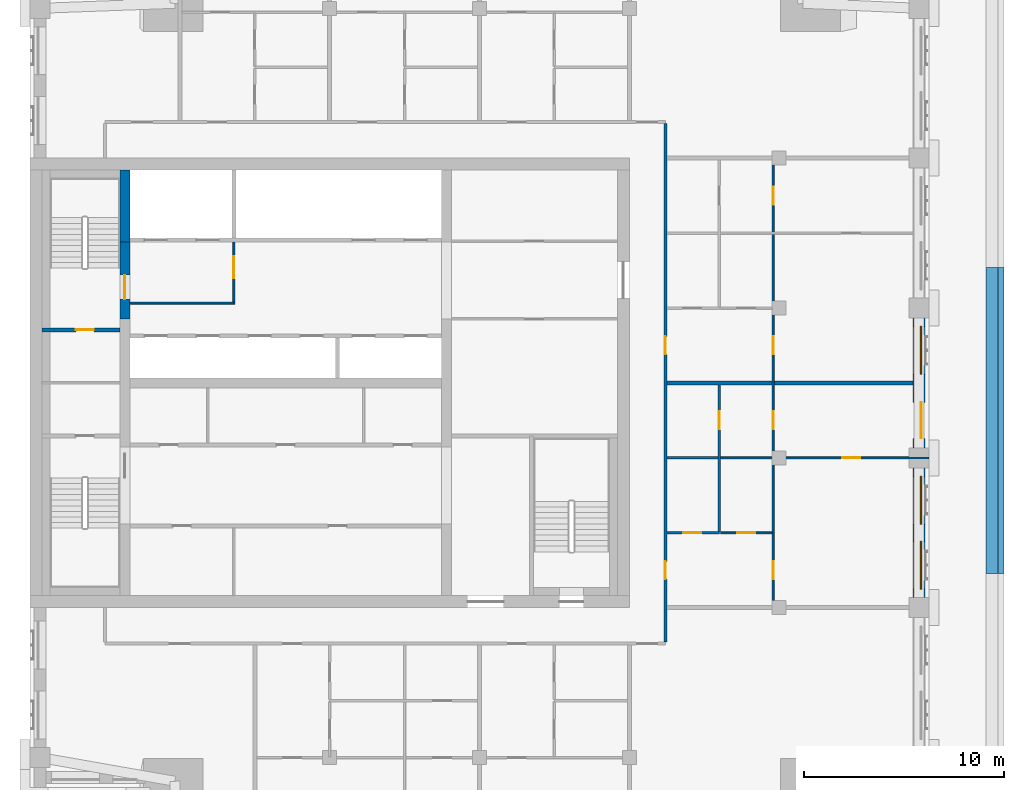
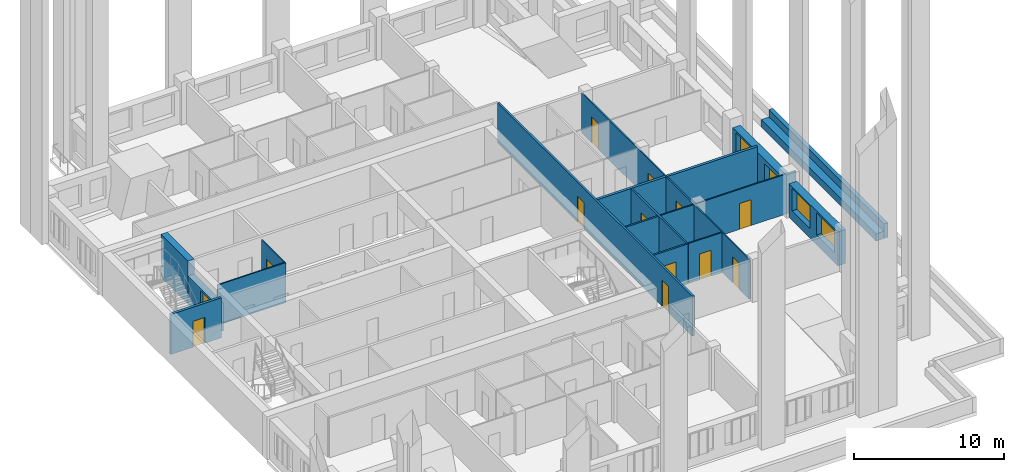
# One storey, part 5 of 12: 17 walls, 14 doors, 3 windows, 17 openings.
"""IFC4 building model written with IfcOpenShell, lengths in metres."""

from ifc_helpers import new_model, si_unit, direction, frame, frame_2d, origin, place, context, subcontext, project, spatial, rectangle, extrude, material, layer, layer_set, type_object, element, fill, save


model = new_model("IFC4")

# Units and contexts
model_context = context("Model", 3, precision=1e-05, world=origin(), true_north=direction((0.0, 1.0)))
body_context = subcontext(model_context, "Body", "Model", "MODEL_VIEW")
ifc_project = project(units=[si_unit("LENGTHUNIT", "METRE"), si_unit("AREAUNIT", "SQUARE_METRE"), si_unit("VOLUMEUNIT", "CUBIC_METRE"), si_unit("PLANEANGLEUNIT", "RADIAN"), si_unit("MASSUNIT", "GRAM", prefix="KILO")], contexts=[model_context])

# Site, building, storey
site_placement = place(None, origin())
site = spatial("IfcSite", under=ifc_project, at=site_placement, CompositionType="ELEMENT")
building_placement = place(site_placement, origin())
building = spatial("IfcBuilding", under=site, at=building_placement, Name="Tamorin Gate", CompositionType="ELEMENT")
storey_placement = place(building_placement, frame((0.0, 0.0, 266.199951171875)))
storey = spatial("IfcBuildingStorey", under=building, at=storey_placement, Name="L66", CompositionType="ELEMENT", Elevation=266.199951171875)

# Wall, openings, windows
ifc_material_1 = material(Name="Precast concrete C40/50", Category="concrete")
ifc_layer_1 = layer(ifc_material_1, 0.60009765625)
ifc_layer_set_1 = layer_set([ifc_layer_1], Name="Precast concrete C40/50")
wall_type_1 = type_object("IfcWallType", Name="Board-marked concrete facade panel 600", PredefinedType="SOLIDWALL", material=ifc_layer_set_1)
wall_1_placement = place(storey_placement, frame((74.5, 60.5, 0.0), z_axis=(0.0, 0.0, 1.0), x_axis=(0.0, 1.0, 0.0)))
wall_1 = element("IfcWall", 1, at=wall_1_placement, inside=storey, type_object=wall_type_1, Name="Facade panel", PredefinedType="SOLIDWALL", context=body_context, shape_type="SweptSolid", body=[
    extrude(rectangle(XDim=6.5, YDim=0.60009765625, at=frame_2d((3.25, 0.0))), origin(), (0.0, 0.0, 1.0), 2.75),
])
opening_1_placement = place(wall_1_placement, frame((0.425048828125, 0.0, 0.800048828125)))
opening_1 = element("IfcOpeningElement", 2, at=opening_1_placement, cuts=wall_1, Name="Opening WN1", PredefinedType="OPENING", context=body_context, shape_type="SweptSolid", body=[
    extrude(rectangle(XDim=2.39990234375, YDim=1.800048828125, at=frame_2d((1.199951171875, 0.89990234375))), frame((0.0, 0.31005859375, 0.0), z_axis=(0.0, -1.0, 0.0), x_axis=(1.0, 0.0, 0.0)), (0.0, 0.0, 1.0), 0.6201171875),
])
opening_2_placement = place(wall_1_placement, frame((3.675048828125, 0.0, 0.800048828125)))
opening_2 = element("IfcOpeningElement", 3, at=opening_2_placement, cuts=wall_1, Name="Opening WN1", PredefinedType="OPENING", context=body_context, shape_type="SweptSolid", body=[
    extrude(rectangle(XDim=2.39990234375, YDim=1.800048828125, at=frame_2d((1.199951171875, 0.89990234375))), frame((0.0, 0.31005859375, 0.0), z_axis=(0.0, -1.0, 0.0), x_axis=(1.0, 0.0, 0.0)), (0.0, 0.0, 1.0), 0.6201171875),
])
ifc_material_2 = material(Name="Clear glass in aluminium frame", Category="aluminium")
window_type = type_object("IfcWindowType", Name="Deep-set window 2400x1800", PartitioningType="SINGLE_PANEL", PredefinedType="WINDOW", material=ifc_material_2)
window_1_placement = place(opening_1_placement, origin())
window_1 = element("IfcWindow", 4, at=window_1_placement, inside=storey, type_object=window_type, Name="Deep-set window", OverallHeight=1.800048828125, OverallWidth=2.39990234375, PartitioningType="SINGLE_PANEL", PredefinedType="WINDOW", context=body_context, shape_type="SweptSolid", body=[
    extrude(rectangle(XDim=2.39990234375, YDim=1.800048828125, at=frame_2d((1.199951171875, 0.89990234375))), frame((0.0, -0.070068359375, 0.0), z_axis=(0.0, -1.0, 0.0), x_axis=(1.0, 0.0, 0.0)), (0.0, 0.0, 1.0), 0.06005859375),
])
fill(opening_1, window_1)
window_2_placement = place(opening_2_placement, origin())
window_2 = element("IfcWindow", 5, at=window_2_placement, inside=storey, type_object=window_type, Name="Deep-set window", OverallHeight=1.800048828125, OverallWidth=2.39990234375, PartitioningType="SINGLE_PANEL", PredefinedType="WINDOW", context=body_context, shape_type="SweptSolid", body=[
    extrude(rectangle(XDim=2.39990234375, YDim=1.800048828125, at=frame_2d((1.199951171875, 0.89990234375))), frame((0.0, -0.070068359375, 0.0), z_axis=(0.0, -1.0, 0.0), x_axis=(1.0, 0.0, 0.0)), (0.0, 0.0, 1.0), 0.06005859375),
])
fill(opening_2, window_2)

# Wall, openings, window, door
wall_2_placement = place(storey_placement, frame((74.5, 68.0, 0.0), z_axis=(0.0, 0.0, 1.0), x_axis=(0.0, 1.0, 0.0)))
wall_2 = element("IfcWall", 6, at=wall_2_placement, inside=storey, type_object=wall_type_1, Name="Facade panel", PredefinedType="SOLIDWALL", context=body_context, shape_type="SweptSolid", body=[
    extrude(rectangle(XDim=6.5, YDim=0.60009765625, at=frame_2d((3.25, 0.0))), origin(), (0.0, 0.0, 1.0), 2.75),
])
opening_3_placement = place(wall_2_placement, frame((0.47509765625, 0.0, 0.0)))
opening_3 = element("IfcOpeningElement", 7, at=opening_3_placement, cuts=wall_2, Name="Opening DX1", PredefinedType="OPENING", context=body_context, shape_type="SweptSolid", body=[
    extrude(rectangle(XDim=1.800048828125, YDim=2.39990234375, at=frame_2d((0.89990234375, 1.199951171875))), frame((0.0, 0.31005859375, 0.0), z_axis=(0.0, -1.0, 0.0), x_axis=(1.0, 0.0, 0.0)), (0.0, 0.0, 1.0), 0.6201171875),
])
opening_4_placement = place(wall_2_placement, frame((3.675048828125, 0.0, 0.800048828125)))
opening_4 = element("IfcOpeningElement", 8, at=opening_4_placement, cuts=wall_2, Name="Opening WN1", PredefinedType="OPENING", context=body_context, shape_type="SweptSolid", body=[
    extrude(rectangle(XDim=2.39990234375, YDim=1.800048828125, at=frame_2d((1.199951171875, 0.89990234375))), frame((0.0, 0.31005859375, 0.0), z_axis=(0.0, -1.0, 0.0), x_axis=(1.0, 0.0, 0.0)), (0.0, 0.0, 1.0), 0.6201171875),
])
window_3_placement = place(opening_4_placement, origin())
window_3 = element("IfcWindow", 9, at=window_3_placement, inside=storey, type_object=window_type, Name="Deep-set window", OverallHeight=1.800048828125, OverallWidth=2.39990234375, PartitioningType="SINGLE_PANEL", PredefinedType="WINDOW", context=body_context, shape_type="SweptSolid", body=[
    extrude(rectangle(XDim=2.39990234375, YDim=1.800048828125, at=frame_2d((1.199951171875, 0.89990234375))), frame((0.0, -0.070068359375, 0.0), z_axis=(0.0, -1.0, 0.0), x_axis=(1.0, 0.0, 0.0)), (0.0, 0.0, 1.0), 0.06005859375),
])
fill(opening_4, window_3)
door_type_1 = type_object("IfcDoorType", Name="Terrace door 1800x2400", OperationType="DOUBLE_DOOR_SINGLE_SWING", PredefinedType="DOOR", material=ifc_material_2)
door_1_placement = place(opening_3_placement, origin())
door_1 = element("IfcDoor", 10, at=door_1_placement, inside=storey, type_object=door_type_1, Name="Terrace door", OperationType="SINGLE_SWING_LEFT", OverallHeight=2.39990234375, OverallWidth=1.800048828125, PredefinedType="DOOR", context=body_context, shape_type="SweptSolid", body=[
    extrude(rectangle(XDim=1.800048828125, YDim=2.39990234375, at=frame_2d((0.89990234375, 1.199951171875))), frame((0.0, -0.0751953125, 0.0), z_axis=(0.0, -1.0, 0.0), x_axis=(1.0, 0.0, 0.0)), (0.0, 0.0, 1.0), 0.050048828125),
])
fill(opening_3, door_1)

# Wall, openings, doors
ifc_material_3 = material(Name="Gypsum board partition")
ifc_layer_2 = layer(ifc_material_3, 0.14990234375)
ifc_layer_set_2 = layer_set([ifc_layer_2], Name="Corridor wall 150")
wall_type_2 = type_object("IfcWallType", Name="Corridor wall 150", PredefinedType="PARTITIONING", material=ifc_layer_set_2)
wall_3_placement = place(storey_placement, frame((61.800048828125, 58.27490234375, 0.0), z_axis=(0.0, 0.0, 1.0), x_axis=(0.0, 1.0, 0.0)))
wall_3 = element("IfcWall", 11, at=wall_3_placement, inside=storey, type_object=wall_type_2, Name="Corridor wall 150", PredefinedType="PARTITIONING", context=body_context, shape_type="SweptSolid", body=[
    extrude(rectangle(XDim=25.9501953125, YDim=0.14990234375, at=frame_2d((12.97509765625, 0.0))), origin(), (0.0, 0.0, 1.0), 3.25),
])
opening_5_placement = place(wall_3_placement, frame((3.14990234375, 0.0, 0.0)))
opening_5 = element("IfcOpeningElement", 12, at=opening_5_placement, cuts=wall_3, Name="Opening DTF6028", PredefinedType="OPENING", context=body_context, shape_type="SweptSolid", body=[
    extrude(rectangle(XDim=0.89990234375, YDim=2.10009765625, at=frame_2d((0.449951171875, 1.050048828125))), frame((0.0, 0.0849609375, 0.0), z_axis=(0.0, -1.0, 0.0), x_axis=(1.0, 0.0, 0.0)), (0.0, 0.0, 1.0), 0.169921875),
])
opening_6_placement = place(wall_3_placement, frame((14.39990234375, 0.0, 0.0)))
opening_6 = element("IfcOpeningElement", 13, at=opening_6_placement, cuts=wall_3, Name="Opening DTF6035", PredefinedType="OPENING", context=body_context, shape_type="SweptSolid", body=[
    extrude(rectangle(XDim=0.89990234375, YDim=2.10009765625, at=frame_2d((0.449951171875, 1.050048828125))), frame((0.0, 0.0849609375, 0.0), z_axis=(0.0, -1.0, 0.0), x_axis=(1.0, 0.0, 0.0)), (0.0, 0.0, 1.0), 0.169921875),
])
ifc_material_4 = material(Name="Timber door leaf", Category="wood")
door_type_2 = type_object("IfcDoorType", Name="Door 900 x 2100 FD30S", OperationType="NOTDEFINED", PredefinedType="DOOR", material=ifc_material_4)
door_2_placement = place(opening_5_placement, origin())
door_2 = element("IfcDoor", 14, at=door_2_placement, inside=storey, type_object=door_type_2, Name="Door DTF6028", OperationType="SINGLE_SWING_RIGHT", OverallHeight=2.10009765625, OverallWidth=0.89990234375, PredefinedType="DOOR", context=body_context, shape_type="SweptSolid", body=[
    extrude(rectangle(XDim=0.89990234375, YDim=2.10009765625, at=frame_2d((0.449951171875, 1.050048828125))), frame((0.0, 0.02490234375, 0.0), z_axis=(0.0, -1.0, 0.0), x_axis=(1.0, 0.0, 0.0)), (0.0, 0.0, 1.0), 0.050048828125),
])
fill(opening_5, door_2)
door_3_placement = place(opening_6_placement, origin())
door_3 = element("IfcDoor", 15, at=door_3_placement, inside=storey, type_object=door_type_2, Name="Door DTF6035", OperationType="SINGLE_SWING_RIGHT", OverallHeight=2.10009765625, OverallWidth=0.89990234375, PredefinedType="DOOR", context=body_context, shape_type="SweptSolid", body=[
    extrude(rectangle(XDim=0.89990234375, YDim=2.10009765625, at=frame_2d((0.449951171875, 1.050048828125))), frame((0.0, 0.02490234375, 0.0), z_axis=(0.0, -1.0, 0.0), x_axis=(1.0, 0.0, 0.0)), (0.0, 0.0, 1.0), 0.050048828125),
])
fill(opening_6, door_3)

# Walls
ifc_layer_3 = layer(ifc_material_3, 0.199951171875)
ifc_layer_set_3 = layer_set([ifc_layer_3], Name="Demising wall 200")
wall_type_3 = type_object("IfcWallType", Name="Demising wall 200", PredefinedType="PARTITIONING", material=ifc_layer_set_3)
wall_4_placement = place(storey_placement, frame((61.875, 71.25, 0.0), z_axis=(0.0, 0.0, 1.0), x_axis=(1.0, 0.0, 0.0)))
element("IfcWall", 16, at=wall_4_placement, inside=storey, type_object=wall_type_3, Name="Demising wall 200", PredefinedType="PARTITIONING", context=body_context, shape_type="SweptSolid", body=[
    extrude(rectangle(XDim=12.31494140625, YDim=0.199951171875, at=frame_2d((6.157470703125, 0.0))), origin(), (0.0, 0.0, 1.0), 3.25),
])
ifc_material_5 = material(Name="Fire-rated gypsum board partition")
ifc_layer_4 = layer(ifc_material_5, 0.10009765625)
ifc_layer_set_4 = layer_set([ifc_layer_4], Name="Lobby wall 100 EI 60")
wall_type_4 = type_object("IfcWallType", Name="Lobby wall 100 EI 60", PredefinedType="PARTITIONING", material=ifc_layer_set_4)
wall_5_placement = place(storey_placement, frame((35.0, 75.25, 0.0), z_axis=(0.0, 0.0, 1.0), x_axis=(1.0, 0.0, 0.0)))
element("IfcWall", 17, at=wall_5_placement, inside=storey, type_object=wall_type_4, Name="Firefighting lobby wall", PredefinedType="PARTITIONING", context=body_context, shape_type="SweptSolid", body=[
    extrude(rectangle(XDim=5.25, YDim=0.10009765625, at=frame_2d((2.625, 0.0))), origin(), (0.0, 0.0, 1.0), 3.25),
])

# Wall, opening, door
wall_6_placement = place(storey_placement, frame((40.199951171875, 75.300048828125, 0.0), z_axis=(0.0, 0.0, 1.0), x_axis=(0.0, 1.0, 0.0)))
wall_6 = element("IfcWall", 18, at=wall_6_placement, inside=storey, type_object=wall_type_4, Name="Firefighting lobby wall", PredefinedType="PARTITIONING", context=body_context, shape_type="SweptSolid", body=[
    extrude(rectangle(XDim=3.0, YDim=0.10009765625, at=frame_2d((1.5, 0.0))), origin(), (0.0, 0.0, 1.0), 3.25),
])
opening_7_placement = place(wall_6_placement, frame((1.199951171875, 0.0, 0.0)))
opening_7 = element("IfcOpeningElement", 19, at=opening_7_placement, cuts=wall_6, Name="Opening DF1", PredefinedType="OPENING", context=body_context, shape_type="SweptSolid", body=[
    extrude(rectangle(XDim=1.10009765625, YDim=2.10009765625, at=frame_2d((0.550048828125, 1.050048828125))), frame((0.0, 0.06005859375, 0.0), z_axis=(0.0, -1.0, 0.0), x_axis=(1.0, 0.0, 0.0)), (0.0, 0.0, 1.0), 0.1201171875),
])
ifc_material_6 = material(Name="Steel fire door", Category="steel")
door_type_3 = type_object("IfcDoorType", Name="Firefighting lobby door 1100 x 2100 EI 90", OperationType="SINGLE_SWING_LEFT", PredefinedType="DOOR", material=ifc_material_6)
door_4_placement = place(opening_7_placement, origin())
door_4 = element("IfcDoor", 20, at=door_4_placement, inside=storey, type_object=door_type_3, Name="Firefighting lobby door", OperationType="SINGLE_SWING_LEFT", OverallHeight=2.10009765625, OverallWidth=1.10009765625, PredefinedType="DOOR", context=body_context, shape_type="SweptSolid", body=[
    extrude(rectangle(XDim=1.10009765625, YDim=2.10009765625, at=frame_2d((0.550048828125, 1.050048828125))), frame((0.0, 0.02490234375, 0.0), z_axis=(0.0, -1.0, 0.0), x_axis=(1.0, 0.0, 0.0)), (0.0, 0.0, 1.0), 0.050048828125),
])
fill(opening_7, door_4)

# Wall
ifc_material_7 = material(Name="Concrete C50/60", Category="concrete")
ifc_layer_5 = layer(ifc_material_7, 0.5)
ifc_layer_set_5 = layer_set([ifc_layer_5], Name="RC core internal wall 500 C50/60")
wall_type_5 = type_object("IfcWallType", Name="RC core internal wall 500 C50/60", PredefinedType="SHEAR", material=ifc_layer_set_5)
wall_7_placement = place(storey_placement, frame((34.75, 78.300048828125, 0.0), z_axis=(0.0, 0.0, 1.0), x_axis=(0.0, 1.0, 0.0)))
element("IfcWall", 21, at=wall_7_placement, inside=storey, type_object=wall_type_5, Name="Core cross wall L66", PredefinedType="SHEAR", context=body_context, shape_type="SweptSolid", body=[
    extrude(rectangle(XDim=3.599853515625, YDim=0.5, at=frame_2d((1.7998046875, 0.0))), origin(), (0.0, 0.0, 1.0), 3.5),
])

# Wall, opening, door
ifc_layer_6 = layer(ifc_material_3, 0.10009765625)
ifc_layer_set_6 = layer_set([ifc_layer_6], Name="Room partition 100")
wall_type_6 = type_object("IfcWallType", Name="Room partition 100", PredefinedType="PARTITIONING", material=ifc_layer_set_6)
wall_8_placement = place(storey_placement, frame((64.5625, 63.75, 0.0), z_axis=(0.0, 0.0, 1.0), x_axis=(1.0, 0.0, 0.0)))
wall_8 = element("IfcWall", 22, at=wall_8_placement, inside=storey, type_object=wall_type_6, Name="Room partition 100", PredefinedType="PARTITIONING", context=body_context, shape_type="SweptSolid", body=[
    extrude(rectangle(XDim=2.58740234375, YDim=0.10009765625, at=frame_2d((1.293701171875, 0.0))), origin(), (0.0, 0.0, 1.0), 3.25),
])
opening_8_placement = place(wall_8_placement, frame((0.83740234375, 0.0, 0.0)))
opening_8 = element("IfcOpeningElement", 23, at=opening_8_placement, cuts=wall_8, Name="Opening DTF6030", PredefinedType="OPENING", context=body_context, shape_type="SweptSolid", body=[
    extrude(rectangle(XDim=0.89990234375, YDim=2.10009765625, at=frame_2d((0.449951171875, 1.050048828125))), frame((0.0, 0.06005859375, 0.0), z_axis=(0.0, -1.0, 0.0), x_axis=(1.0, 0.0, 0.0)), (0.0, 0.0, 1.0), 0.1201171875),
])
door_type_4 = type_object("IfcDoorType", Name="Door 900 x 2100", OperationType="NOTDEFINED", PredefinedType="DOOR", material=ifc_material_4)
door_5_placement = place(opening_8_placement, origin())
door_5 = element("IfcDoor", 24, at=door_5_placement, inside=storey, type_object=door_type_4, Name="Door DTF6030", OperationType="SINGLE_SWING_LEFT", OverallHeight=2.10009765625, OverallWidth=0.89990234375, PredefinedType="DOOR", context=body_context, shape_type="SweptSolid", body=[
    extrude(rectangle(XDim=0.89990234375, YDim=2.10009765625, at=frame_2d((0.449951171875, 1.050048828125))), frame((0.0, 0.02490234375, 0.0), z_axis=(0.0, -1.0, 0.0), x_axis=(1.0, 0.0, 0.0)), (0.0, 0.0, 1.0), 0.050048828125),
])
fill(opening_8, door_5)

wall_9_placement = place(storey_placement, frame((64.5625, 67.5, 0.0), z_axis=(0.0, 0.0, 1.0), x_axis=(1.0, 0.0, 0.0)))
wall_9 = element("IfcWall", 25, at=wall_9_placement, inside=storey, type_object=wall_type_6, Name="Room partition 100", PredefinedType="PARTITIONING", context=body_context, shape_type="SweptSolid", body=[
    extrude(rectangle(XDim=10.4375, YDim=0.10009765625, at=frame_2d((5.21875, 0.0))), origin(), (0.0, 0.0, 1.0), 3.25),
])
opening_9_placement = place(wall_9_placement, frame((6.08740234375, 0.0, 0.0)))
opening_9 = element("IfcOpeningElement", 26, at=opening_9_placement, cuts=wall_9, Name="Opening DTF6034", PredefinedType="OPENING", context=body_context, shape_type="SweptSolid", body=[
    extrude(rectangle(XDim=0.89990234375, YDim=2.10009765625, at=frame_2d((0.449951171875, 1.050048828125))), frame((0.0, 0.06005859375, 0.0), z_axis=(0.0, -1.0, 0.0), x_axis=(1.0, 0.0, 0.0)), (0.0, 0.0, 1.0), 0.1201171875),
])
door_6_placement = place(opening_9_placement, origin())
door_6 = element("IfcDoor", 27, at=door_6_placement, inside=storey, type_object=door_type_4, Name="Door DTF6034", OperationType="SINGLE_SWING_RIGHT", OverallHeight=2.10009765625, OverallWidth=0.89990234375, PredefinedType="DOOR", context=body_context, shape_type="SweptSolid", body=[
    extrude(rectangle(XDim=0.89990234375, YDim=2.10009765625, at=frame_2d((0.449951171875, 1.050048828125))), frame((0.0, 0.02490234375, 0.0), z_axis=(0.0, -1.0, 0.0), x_axis=(1.0, 0.0, 0.0)), (0.0, 0.0, 1.0), 0.050048828125),
])
fill(opening_9, door_6)

# Wall, openings, doors
wall_10_placement = place(storey_placement, frame((67.199951171875, 60.10009765625, 0.0), z_axis=(0.0, 0.0, 1.0), x_axis=(0.0, 1.0, 0.0)))
wall_10 = element("IfcWall", 28, at=wall_10_placement, inside=storey, type_object=wall_type_6, Name="Room partition 100", PredefinedType="PARTITIONING", context=body_context, shape_type="SweptSolid", body=[
    extrude(rectangle(XDim=22.2998046875, YDim=0.10009765625, at=frame_2d((11.14990234375, 0.0))), origin(), (0.0, 0.0, 1.0), 3.25),
])
opening_10_placement = place(wall_10_placement, frame((1.324951171875, 0.0, 0.0)))
opening_10 = element("IfcOpeningElement", 29, at=opening_10_placement, cuts=wall_10, Name="Opening DTF6029", PredefinedType="OPENING", context=body_context, shape_type="SweptSolid", body=[
    extrude(rectangle(XDim=0.89990234375, YDim=2.10009765625, at=frame_2d((0.449951171875, 1.050048828125))), frame((0.0, 0.06005859375, 0.0), z_axis=(0.0, -1.0, 0.0), x_axis=(1.0, 0.0, 0.0)), (0.0, 0.0, 1.0), 0.1201171875),
])
opening_11_placement = place(wall_10_placement, frame((8.824951171875, 0.0, 0.0)))
opening_11 = element("IfcOpeningElement", 30, at=opening_11_placement, cuts=wall_10, Name="Opening DTF6032", PredefinedType="OPENING", context=body_context, shape_type="SweptSolid", body=[
    extrude(rectangle(XDim=0.89990234375, YDim=2.10009765625, at=frame_2d((0.449951171875, 1.050048828125))), frame((0.0, 0.06005859375, 0.0), z_axis=(0.0, -1.0, 0.0), x_axis=(1.0, 0.0, 0.0)), (0.0, 0.0, 1.0), 0.1201171875),
])
opening_12_placement = place(wall_10_placement, frame((12.574951171875, 0.0, 0.0)))
opening_12 = element("IfcOpeningElement", 31, at=opening_12_placement, cuts=wall_10, Name="Opening DTF6036", PredefinedType="OPENING", context=body_context, shape_type="SweptSolid", body=[
    extrude(rectangle(XDim=0.89990234375, YDim=2.10009765625, at=frame_2d((0.449951171875, 1.050048828125))), frame((0.0, 0.06005859375, 0.0), z_axis=(0.0, -1.0, 0.0), x_axis=(1.0, 0.0, 0.0)), (0.0, 0.0, 1.0), 0.1201171875),
])
opening_13_placement = place(wall_10_placement, frame((20.074951171875, 0.0, 0.0)))
opening_13 = element("IfcOpeningElement", 32, at=opening_13_placement, cuts=wall_10, Name="Opening DTF6039", PredefinedType="OPENING", context=body_context, shape_type="SweptSolid", body=[
    extrude(rectangle(XDim=0.89990234375, YDim=2.10009765625, at=frame_2d((0.449951171875, 1.050048828125))), frame((0.0, 0.06005859375, 0.0), z_axis=(0.0, -1.0, 0.0), x_axis=(1.0, 0.0, 0.0)), (0.0, 0.0, 1.0), 0.1201171875),
])
door_7_placement = place(opening_10_placement, origin())
door_7 = element("IfcDoor", 33, at=door_7_placement, inside=storey, type_object=door_type_4, Name="Door DTF6029", OperationType="SINGLE_SWING_LEFT", OverallHeight=2.10009765625, OverallWidth=0.89990234375, PredefinedType="DOOR", context=body_context, shape_type="SweptSolid", body=[
    extrude(rectangle(XDim=0.89990234375, YDim=2.10009765625, at=frame_2d((0.449951171875, 1.050048828125))), frame((0.0, 0.02490234375, 0.0), z_axis=(0.0, -1.0, 0.0), x_axis=(1.0, 0.0, 0.0)), (0.0, 0.0, 1.0), 0.050048828125),
])
fill(opening_10, door_7)
door_8_placement = place(opening_11_placement, origin())
door_8 = element("IfcDoor", 34, at=door_8_placement, inside=storey, type_object=door_type_4, Name="Door DTF6032", OperationType="SINGLE_SWING_LEFT", OverallHeight=2.10009765625, OverallWidth=0.89990234375, PredefinedType="DOOR", context=body_context, shape_type="SweptSolid", body=[
    extrude(rectangle(XDim=0.89990234375, YDim=2.10009765625, at=frame_2d((0.449951171875, 1.050048828125))), frame((0.0, 0.02490234375, 0.0), z_axis=(0.0, -1.0, 0.0), x_axis=(1.0, 0.0, 0.0)), (0.0, 0.0, 1.0), 0.050048828125),
])
fill(opening_11, door_8)
door_9_placement = place(opening_12_placement, origin())
door_9 = element("IfcDoor", 35, at=door_9_placement, inside=storey, type_object=door_type_4, Name="Door DTF6036", OperationType="SINGLE_SWING_LEFT", OverallHeight=2.10009765625, OverallWidth=0.89990234375, PredefinedType="DOOR", context=body_context, shape_type="SweptSolid", body=[
    extrude(rectangle(XDim=0.89990234375, YDim=2.10009765625, at=frame_2d((0.449951171875, 1.050048828125))), frame((0.0, 0.02490234375, 0.0), z_axis=(0.0, -1.0, 0.0), x_axis=(1.0, 0.0, 0.0)), (0.0, 0.0, 1.0), 0.050048828125),
])
fill(opening_12, door_9)
door_10_placement = place(opening_13_placement, origin())
door_10 = element("IfcDoor", 36, at=door_10_placement, inside=storey, type_object=door_type_4, Name="Door DTF6039", OperationType="SINGLE_SWING_LEFT", OverallHeight=2.10009765625, OverallWidth=0.89990234375, PredefinedType="DOOR", context=body_context, shape_type="SweptSolid", body=[
    extrude(rectangle(XDim=0.89990234375, YDim=2.10009765625, at=frame_2d((0.449951171875, 1.050048828125))), frame((0.0, 0.02490234375, 0.0), z_axis=(0.0, -1.0, 0.0), x_axis=(1.0, 0.0, 0.0)), (0.0, 0.0, 1.0), 0.050048828125),
])
fill(opening_13, door_10)

# Wall, opening, door
ifc_material_8 = material(Name="Concrete C40/50", Category="concrete")
ifc_layer_7 = layer(ifc_material_8, 0.199951171875)
ifc_layer_set_7 = layer_set([ifc_layer_7], Name="Stair enclosure wall 200 EI 120 C40/50")
wall_type_7 = type_object("IfcWallType", Name="Stair enclosure wall 200 EI 120 C40/50", PredefinedType="SOLIDWALL", material=ifc_layer_set_7)
wall_11_placement = place(storey_placement, frame((30.60009765625, 73.89990234375, 0.0), z_axis=(0.0, 0.0, 1.0), x_axis=(1.0, 0.0, 0.0)))
wall_11 = element("IfcWall", 37, at=wall_11_placement, inside=storey, type_object=wall_type_7, Name="Stair enclosure wall", PredefinedType="SOLIDWALL", context=body_context, shape_type="SweptSolid", body=[
    extrude(rectangle(XDim=3.89990234375, YDim=0.199951171875, at=frame_2d((1.949951171875, 0.0))), origin(), (0.0, 0.0, 1.0), 3.25),
])
opening_14_placement = place(wall_11_placement, frame((1.699951171875, 0.0, 0.0)))
opening_14 = element("IfcOpeningElement", 38, at=opening_14_placement, cuts=wall_11, Name="Opening DR1", PredefinedType="OPENING", context=body_context, shape_type="SweptSolid", body=[
    extrude(rectangle(XDim=0.89990234375, YDim=2.10009765625, at=frame_2d((0.449951171875, 1.050048828125))), frame((0.0, 0.10986328125, 0.0), z_axis=(0.0, -1.0, 0.0), x_axis=(1.0, 0.0, 0.0)), (0.0, 0.0, 1.0), 0.219970703125),
])
door_type_5 = type_object("IfcDoorType", Name="Riser access door 900 x 2100 EI 120", OperationType="SINGLE_SWING_LEFT", PredefinedType="DOOR", material=ifc_material_6)
door_11_placement = place(opening_14_placement, origin())
door_11 = element("IfcDoor", 39, at=door_11_placement, inside=storey, type_object=door_type_5, Name="Communications riser door", OperationType="SINGLE_SWING_RIGHT", OverallHeight=2.10009765625, OverallWidth=0.89990234375, PredefinedType="DOOR", context=body_context, shape_type="SweptSolid", body=[
    extrude(rectangle(XDim=0.89990234375, YDim=2.10009765625, at=frame_2d((0.449951171875, 1.050048828125))), frame((0.0, 0.02490234375, 0.0), z_axis=(0.0, -1.0, 0.0), x_axis=(1.0, 0.0, 0.0)), (0.0, 0.0, 1.0), 0.050048828125),
])
fill(opening_14, door_11)

ifc_material_9 = material(Name="Concrete C32/40", Category="concrete")
ifc_layer_8 = layer(ifc_material_9, 0.5)
ifc_layer_set_8 = layer_set([ifc_layer_8], Name="Stair lobby infill wall 500 EI 120")
wall_type_8 = type_object("IfcWallType", Name="Stair lobby infill wall 500 EI 120", PredefinedType="SOLIDWALL", material=ifc_layer_set_8)
wall_12_placement = place(storey_placement, frame((34.75, 74.449951171875, 0.0), z_axis=(0.0, 0.0, 1.0), x_axis=(0.0, 1.0, 0.0)))
wall_12 = element("IfcWall", 40, at=wall_12_placement, inside=storey, type_object=wall_type_8, Name="Stair lobby infill wall", PredefinedType="SOLIDWALL", context=body_context, shape_type="SweptSolid", body=[
    extrude(rectangle(XDim=3.85009765625, YDim=0.5, at=frame_2d((1.925048828125, 0.0))), origin(), (0.0, 0.0, 1.0), 2.300048828125),
])
opening_15_placement = place(wall_12_placement, frame((1.0, 0.0, 0.0)))
opening_15 = element("IfcOpeningElement", 41, at=opening_15_placement, cuts=wall_12, Name="Opening DS1", PredefinedType="OPENING", context=body_context, shape_type="SweptSolid", body=[
    extrude(rectangle(XDim=1.199951171875, YDim=2.10009765625, at=frame_2d((0.60009765625, 1.050048828125))), frame((0.0, 0.260009765625, 0.0), z_axis=(0.0, -1.0, 0.0), x_axis=(1.0, 0.0, 0.0)), (0.0, 0.0, 1.0), 0.52001953125),
])
door_type_6 = type_object("IfcDoorType", Name="Stair door 1200 x 2100 EI 90", OperationType="SINGLE_SWING_LEFT", PredefinedType="DOOR", material=ifc_material_6)
door_12_placement = place(opening_15_placement, origin())
door_12 = element("IfcDoor", 42, at=door_12_placement, inside=storey, type_object=door_type_6, Name="ST2 door", OperationType="SINGLE_SWING_RIGHT", OverallHeight=2.10009765625, OverallWidth=1.199951171875, PredefinedType="DOOR", context=body_context, shape_type="SweptSolid", body=[
    extrude(rectangle(XDim=1.199951171875, YDim=2.10009765625, at=frame_2d((0.60009765625, 1.050048828125))), frame((0.0, 0.02490234375, 0.0), z_axis=(0.0, -1.0, 0.0), x_axis=(1.0, 0.0, 0.0)), (0.0, 0.0, 1.0), 0.050048828125),
])
fill(opening_15, door_12)

# Walls
ifc_layer_9 = layer(ifc_material_1, 0.300048828125)
ifc_layer_set_9 = layer_set([ifc_layer_9], Name="Terrace parapet 300")
wall_type_9 = type_object("IfcWallType", Name="Terrace parapet 300", PredefinedType="PARAPET", material=ifc_layer_set_9)
wall_13_placement = place(storey_placement, frame((78.60009765625, 61.716552734375, 0.0), z_axis=(0.0, 0.0, 1.0), x_axis=(0.0, 1.0, 0.0)))
element("IfcWall", 43, at=wall_13_placement, inside=storey, type_object=wall_type_9, Name="Terrace parapet", PredefinedType="PARAPET", context=body_context, shape_type="SweptSolid", body=[
    extrude(rectangle(XDim=15.31689453125, YDim=0.300048828125, at=frame_2d((7.658447265625, 0.0))), origin(), (0.0, 0.0, 1.0), 1.199951171875),
])
ifc_layer_10 = layer(ifc_material_1, 0.60009765625)
ifc_layer_set_10 = layer_set([ifc_layer_10], Name="Terrace planter wall 600")
wall_type_10 = type_object("IfcWallType", Name="Terrace planter wall 600", PredefinedType="STANDARD", material=ifc_layer_set_10)
wall_14_placement = place(storey_placement, frame((78.14990234375, 61.716552734375, 0.0), z_axis=(0.0, 0.0, 1.0), x_axis=(0.0, 1.0, 0.0)))
element("IfcWall", 44, at=wall_14_placement, inside=storey, type_object=wall_type_10, Name="PLANTER wall", PredefinedType="STANDARD", context=body_context, shape_type="SweptSolid", body=[
    extrude(rectangle(XDim=15.31689453125, YDim=0.60009765625, at=frame_2d((7.658447265625, 0.0))), origin(), (0.0, 0.0, 1.0), 0.60009765625),
])

# Wall, opening, door
ifc_layer_11 = layer(ifc_material_3, 0.125)
ifc_layer_set_11 = layer_set([ifc_layer_11], Name="Wet wall 125")
wall_type_11 = type_object("IfcWallType", Name="Wet wall 125", PredefinedType="PARTITIONING", material=ifc_layer_set_11)
wall_15_placement = place(storey_placement, frame((61.875, 63.75, 0.0), z_axis=(0.0, 0.0, 1.0), x_axis=(1.0, 0.0, 0.0)))
wall_15 = element("IfcWall", 45, at=wall_15_placement, inside=storey, type_object=wall_type_11, Name="Wet wall 125", PredefinedType="PARTITIONING", context=body_context, shape_type="SweptSolid", body=[
    extrude(rectangle(XDim=2.625, YDim=0.125, at=frame_2d((1.3125, 0.0))), origin(), (0.0, 0.0, 1.0), 3.25),
])
opening_16_placement = place(wall_15_placement, frame((0.824951171875, 0.0, 0.0)))
opening_16 = element("IfcOpeningElement", 46, at=opening_16_placement, cuts=wall_15, Name="Opening DTF6031", PredefinedType="OPENING", context=body_context, shape_type="SweptSolid", body=[
    extrude(rectangle(XDim=0.89990234375, YDim=2.10009765625, at=frame_2d((0.449951171875, 1.050048828125))), frame((0.0, 0.072509765625, 0.0), z_axis=(0.0, -1.0, 0.0), x_axis=(1.0, 0.0, 0.0)), (0.0, 0.0, 1.0), 0.14501953125),
])
door_13_placement = place(opening_16_placement, origin())
door_13 = element("IfcDoor", 47, at=door_13_placement, inside=storey, type_object=door_type_4, Name="Door DTF6031", OperationType="SINGLE_SWING_LEFT", OverallHeight=2.10009765625, OverallWidth=0.89990234375, PredefinedType="DOOR", context=body_context, shape_type="SweptSolid", body=[
    extrude(rectangle(XDim=0.89990234375, YDim=2.10009765625, at=frame_2d((0.449951171875, 1.050048828125))), frame((0.0, 0.02490234375, 0.0), z_axis=(0.0, -1.0, 0.0), x_axis=(1.0, 0.0, 0.0)), (0.0, 0.0, 1.0), 0.050048828125),
])
fill(opening_16, door_13)

# Wall
wall_16_placement = place(storey_placement, frame((61.875, 67.5, 0.0), z_axis=(0.0, 0.0, 1.0), x_axis=(1.0, 0.0, 0.0)))
element("IfcWall", 48, at=wall_16_placement, inside=storey, type_object=wall_type_11, Name="Wet wall 125", PredefinedType="PARTITIONING", context=body_context, shape_type="SweptSolid", body=[
    extrude(rectangle(XDim=2.5625, YDim=0.125, at=frame_2d((1.28125, 0.0))), origin(), (0.0, 0.0, 1.0), 3.25),
])

# Wall, opening, door
wall_17_placement = place(storey_placement, frame((64.5, 63.8125, 0.0), z_axis=(0.0, 0.0, 1.0), x_axis=(0.0, 1.0, 0.0)))
wall_17 = element("IfcWall", 49, at=wall_17_placement, inside=storey, type_object=wall_type_11, Name="Wet wall 125", PredefinedType="PARTITIONING", context=body_context, shape_type="SweptSolid", body=[
    extrude(rectangle(XDim=7.33740234375, YDim=0.125, at=frame_2d((3.668701171875, 0.0))), origin(), (0.0, 0.0, 1.0), 3.25),
])
opening_17_placement = place(wall_17_placement, frame((5.112548828125, 0.0, 0.0)))
opening_17 = element("IfcOpeningElement", 50, at=opening_17_placement, cuts=wall_17, Name="Opening DTF6033", PredefinedType="OPENING", context=body_context, shape_type="SweptSolid", body=[
    extrude(rectangle(XDim=0.89990234375, YDim=2.10009765625, at=frame_2d((0.449951171875, 1.050048828125))), frame((0.0, 0.072509765625, 0.0), z_axis=(0.0, -1.0, 0.0), x_axis=(1.0, 0.0, 0.0)), (0.0, 0.0, 1.0), 0.14501953125),
])
door_14_placement = place(opening_17_placement, origin())
door_14 = element("IfcDoor", 51, at=door_14_placement, inside=storey, type_object=door_type_4, Name="Door DTF6033", OperationType="SINGLE_SWING_LEFT", OverallHeight=2.10009765625, OverallWidth=0.89990234375, PredefinedType="DOOR", context=body_context, shape_type="SweptSolid", body=[
    extrude(rectangle(XDim=0.89990234375, YDim=2.10009765625, at=frame_2d((0.449951171875, 1.050048828125))), frame((0.0, 0.02490234375, 0.0), z_axis=(0.0, -1.0, 0.0), x_axis=(1.0, 0.0, 0.0)), (0.0, 0.0, 1.0), 0.050048828125),
])
fill(opening_17, door_14)

save(model, "model.ifc")
